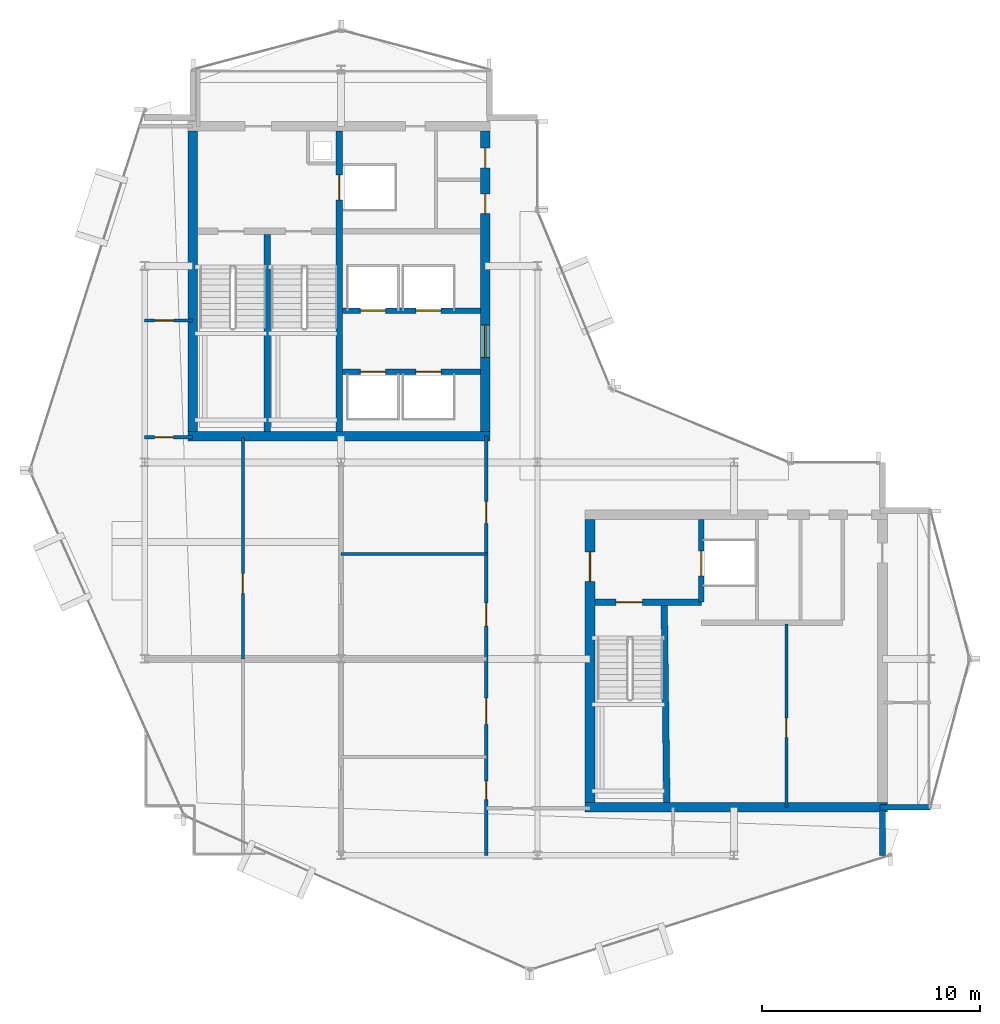
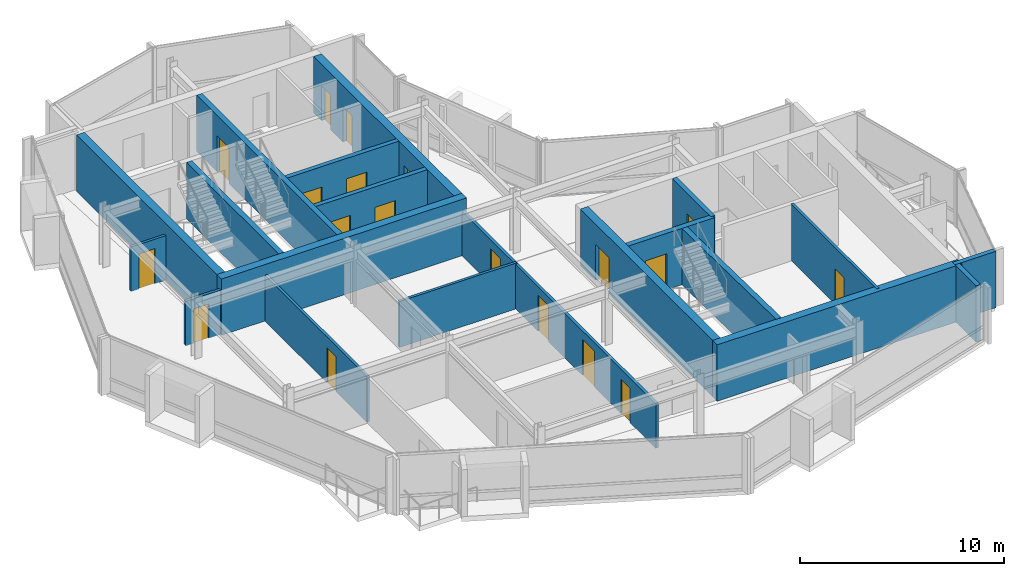
# One storey, part 14 of 19: 20 walls, 19 doors, 19 openings.
"""IFC4 building model written with IfcOpenShell, lengths in metres."""

from ifc_helpers import new_model, si_unit, direction, frame, frame_2d, origin, place, context, subcontext, project, spatial, rectangle, extrude, material, layer, layer_set, type_object, element, fill, save


model = new_model("IFC4")

# Units and contexts
model_context = context("Model", 3, precision=1e-05, world=origin(), true_north=direction((0.0, 1.0)))
body_context = subcontext(model_context, "Body", "Model", "MODEL_VIEW")
ifc_project = project(units=[si_unit("LENGTHUNIT", "METRE"), si_unit("AREAUNIT", "SQUARE_METRE"), si_unit("VOLUMEUNIT", "CUBIC_METRE"), si_unit("PLANEANGLEUNIT", "RADIAN"), si_unit("MASSUNIT", "GRAM", prefix="KILO")], contexts=[model_context])

# Site, building, storey
site_placement = place(None, origin())
site = spatial("IfcSite", under=ifc_project, at=site_placement, CompositionType="ELEMENT")
building_placement = place(site_placement, origin())
building = spatial("IfcBuilding", under=site, at=building_placement, Name="Solvaryn Broadcast Tower", CompositionType="ELEMENT")
storey_placement = place(building_placement, frame((0.0, 0.0, 281.5)))
storey = spatial("IfcBuildingStorey", under=building, at=storey_placement, Name="L71", CompositionType="ELEMENT", Elevation=281.5)

# Walls
ifc_material_1 = material(Name="Concrete f'c 70 MPa", Category="concrete")
ifc_layer_1 = layer(ifc_material_1, 0.449951171875)
ifc_layer_set_1 = layer_set([ifc_layer_1], Name="CW-SHEAR-450")
wall_type_1 = type_object("IfcWallType", Name="CW-SHEAR-450", PredefinedType="SHEAR", material=ifc_layer_set_1)
wall_1_placement = place(storey_placement, frame((10.97509765625, 28.199951171875, 0.0), z_axis=(0.0, 0.0, 1.0), x_axis=(1.0, 0.0, 0.0)))
element("IfcWall", 1, at=wall_1_placement, inside=storey, type_object=wall_type_1, Name="L71 West Core South Shear Wall", PredefinedType="SHEAR", context=body_context, shape_type="SweptSolid", body=[
    extrude(rectangle(XDim=13.849853515625, YDim=0.449951171875, at=frame_2d((6.9248046875, 0.0))), origin(), (0.0, 0.0, 1.0), 3.3701171875),
])
wall_2_placement = place(storey_placement, frame((11.199951171875, 42.175048828125, 0.0), z_axis=(0.0, 0.0, 1.0), x_axis=(0.0, -1.0, 0.0)))
element("IfcWall", 2, at=wall_2_placement, inside=storey, type_object=wall_type_1, Name="L71 West Core West Shear Wall", PredefinedType="SHEAR", context=body_context, shape_type="SweptSolid", body=[
    extrude(rectangle(XDim=13.75, YDim=0.449951171875, at=frame_2d((6.875, 0.0))), origin(), (0.0, 0.0, 1.0), 3.3701171875),
])

# Wall, openings, doors
wall_3_placement = place(storey_placement, frame((24.60009765625, 28.425048828125, 0.0), z_axis=(0.0, 0.0, 1.0), x_axis=(0.0, 1.0, 0.0)))
wall_3 = element("IfcWall", 3, at=wall_3_placement, inside=storey, type_object=wall_type_1, Name="L71 West Core East Shear Wall", PredefinedType="SHEAR", context=body_context, shape_type="SweptSolid", body=[
    extrude(rectangle(XDim=13.75, YDim=0.449951171875, at=frame_2d((6.875, 0.0))), origin(), (0.0, 0.0, 1.0), 3.3701171875),
])
opening_1_placement = place(wall_3_placement, frame((3.375, 0.0, 0.0)))
opening_1 = element("IfcOpeningElement", 4, at=opening_1_placement, cuts=wall_3, Name="Opening FD60A", PredefinedType="OPENING", context=body_context, shape_type="SweptSolid", body=[
    extrude(rectangle(XDim=1.5, YDim=2.199951171875, at=frame_2d((0.75, 1.10009765625))), frame((0.0, 0.235107421875, 0.0), z_axis=(0.0, -1.0, 0.0), x_axis=(1.0, 0.0, 0.0)), (0.0, 0.0, 1.0), 0.469970703125),
])
opening_2_placement = place(wall_3_placement, frame((9.97509765625, 0.0, 0.0)))
opening_2 = element("IfcOpeningElement", 5, at=opening_2_placement, cuts=wall_3, Name="Opening FD60C", PredefinedType="OPENING", context=body_context, shape_type="SweptSolid", body=[
    extrude(rectangle(XDim=0.89990234375, YDim=2.10009765625, at=frame_2d((0.449951171875, 1.050048828125))), frame((0.0, 0.235107421875, 0.0), z_axis=(0.0, -1.0, 0.0), x_axis=(1.0, 0.0, 0.0)), (0.0, 0.0, 1.0), 0.469970703125),
])
opening_3_placement = place(wall_3_placement, frame((12.074951171875, 0.0, 0.0)))
opening_3 = element("IfcOpeningElement", 6, at=opening_3_placement, cuts=wall_3, Name="Opening FD60C", PredefinedType="OPENING", context=body_context, shape_type="SweptSolid", body=[
    extrude(rectangle(XDim=0.89990234375, YDim=2.10009765625, at=frame_2d((0.449951171875, 1.050048828125))), frame((0.0, 0.235107421875, 0.0), z_axis=(0.0, -1.0, 0.0), x_axis=(1.0, 0.0, 0.0)), (0.0, 0.0, 1.0), 0.469970703125),
])
ifc_material_2 = material(Name="Flush Acoustic Steel and Timber Door Assembly", Category="steel")
door_type_1 = type_object("IfcDoorType", Name="FD60-CORR-1500X2200", OperationType="NOTDEFINED", PredefinedType="DOOR", material=ifc_material_2)
door_1_placement = place(opening_1_placement, origin())
door_1 = element("IfcDoor", 7, at=door_1_placement, inside=storey, type_object=door_type_1, Name="L71 West Elevator Lobby Corridor Door", OperationType="DOUBLE_DOOR_SINGLE_SWING", OverallHeight=2.199951171875, OverallWidth=1.5, PredefinedType="DOOR", context=body_context, shape_type="SweptSolid", body=[
    extrude(rectangle(XDim=1.5, YDim=2.199951171875, at=frame_2d((0.75, 1.10009765625))), frame((0.0, 0.02490234375, 0.0), z_axis=(0.0, -1.0, 0.0), x_axis=(1.0, 0.0, 0.0)), (0.0, 0.0, 1.0), 0.050048828125),
])
fill(opening_1, door_1)
ifc_material_3 = material(Name="Flush Acoustic Steel and Timber Door Assembly", Category="steel")
door_type_2 = type_object("IfcDoorType", Name="FD60-SERV-900X2100", OperationType="NOTDEFINED", PredefinedType="DOOR", material=ifc_material_3)
door_2_placement = place(opening_2_placement, origin())
door_2 = element("IfcDoor", 8, at=door_2_placement, inside=storey, type_object=door_type_2, Name="L71 West Core Service Door 1", OperationType="SINGLE_SWING_LEFT", OverallHeight=2.10009765625, OverallWidth=0.89990234375, PredefinedType="DOOR", context=body_context, shape_type="SweptSolid", body=[
    extrude(rectangle(XDim=0.89990234375, YDim=2.10009765625, at=frame_2d((0.449951171875, 1.050048828125))), frame((0.0, 0.02490234375, 0.0), z_axis=(0.0, -1.0, 0.0), x_axis=(1.0, 0.0, 0.0)), (0.0, 0.0, 1.0), 0.050048828125),
])
fill(opening_2, door_2)
door_3_placement = place(opening_3_placement, origin())
door_3 = element("IfcDoor", 9, at=door_3_placement, inside=storey, type_object=door_type_2, Name="L71 West Core Janitor Door", OperationType="SINGLE_SWING_RIGHT", OverallHeight=2.10009765625, OverallWidth=0.89990234375, PredefinedType="DOOR", context=body_context, shape_type="SweptSolid", body=[
    extrude(rectangle(XDim=0.89990234375, YDim=2.10009765625, at=frame_2d((0.449951171875, 1.050048828125))), frame((0.0, 0.02490234375, 0.0), z_axis=(0.0, -1.0, 0.0), x_axis=(1.0, 0.0, 0.0)), (0.0, 0.0, 1.0), 0.050048828125),
])
fill(opening_3, door_3)

# Wall
wall_4_placement = place(storey_placement, frame((29.175048828125, 11.199951171875, 0.0), z_axis=(0.0, 0.0, 1.0), x_axis=(1.0, 0.0, 0.0)))
element("IfcWall", 10, at=wall_4_placement, inside=storey, type_object=wall_type_1, Name="L71 East Core South Shear Wall", PredefinedType="SHEAR", context=body_context, shape_type="SweptSolid", body=[
    extrude(rectangle(XDim=13.849853515625, YDim=0.449951171875, at=frame_2d((6.9248046875, 0.0))), origin(), (0.0, 0.0, 1.0), 3.3701171875),
])

# Wall, opening, door
wall_5_placement = place(storey_placement, frame((29.39990234375, 24.375, 0.0), z_axis=(0.0, 0.0, 1.0), x_axis=(0.0, -1.0, 0.0)))
wall_5 = element("IfcWall", 11, at=wall_5_placement, inside=storey, type_object=wall_type_1, Name="L71 East Core West Shear Wall", PredefinedType="SHEAR", context=body_context, shape_type="SweptSolid", body=[
    extrude(rectangle(XDim=12.949951171875, YDim=0.449951171875, at=frame_2d((6.47509765625, 0.0))), origin(), (0.0, 0.0, 1.0), 3.3701171875),
])
opening_4_placement = place(wall_5_placement, frame((1.47509765625, 0.0, 0.0)))
opening_4 = element("IfcOpeningElement", 12, at=opening_4_placement, cuts=wall_5, Name="Opening FD90B", PredefinedType="OPENING", context=body_context, shape_type="SweptSolid", body=[
    extrude(rectangle(XDim=1.35009765625, YDim=2.14990234375, at=frame_2d((0.675048828125, 1.074951171875))), frame((0.0, 0.235107421875, 0.0), z_axis=(0.0, -1.0, 0.0), x_axis=(1.0, 0.0, 0.0)), (0.0, 0.0, 1.0), 0.469970703125),
])
ifc_material_4 = material(Name="Flush Acoustic Steel and Timber Door Assembly", Category="steel")
door_type_3 = type_object("IfcDoorType", Name="FD90-LOBBY-1350X2150", OperationType="NOTDEFINED", PredefinedType="DOOR", material=ifc_material_4)
door_4_placement = place(opening_4_placement, origin())
door_4 = element("IfcDoor", 13, at=door_4_placement, inside=storey, type_object=door_type_3, Name="L71 East FSAE Lobby Door", OperationType="SINGLE_SWING_RIGHT", OverallHeight=2.14990234375, OverallWidth=1.35009765625, PredefinedType="DOOR", context=body_context, shape_type="SweptSolid", body=[
    extrude(rectangle(XDim=1.35009765625, YDim=2.14990234375, at=frame_2d((0.675048828125, 1.074951171875))), frame((0.0, 0.02490234375, 0.0), z_axis=(0.0, -1.0, 0.0), x_axis=(1.0, 0.0, 0.0)), (0.0, 0.0, 1.0), 0.050048828125),
])
fill(opening_4, door_4)

# Walls
ifc_material_5 = material(Name="Concrete f'c 50 MPa", Category="concrete")
ifc_layer_2 = layer(ifc_material_5, 0.260009765625)
ifc_layer_set_2 = layer_set([ifc_layer_2], Name="EW-PIER-260")
wall_type_2 = type_object("IfcWallType", Name="EW-PIER-260", PredefinedType="SOLIDWALL", material=ifc_layer_set_2)
wall_6_placement = place(storey_placement, frame((42.800048828125, 9.0, 0.0), z_axis=(0.0, 0.0, 1.0), x_axis=(0.0, 1.0, 0.0)))
element("IfcWall", 14, at=wall_6_placement, inside=storey, type_object=wall_type_2, Name="L71 Notched Corner Pier Wall NSE1", PredefinedType="SOLIDWALL", context=body_context, shape_type="SweptSolid", body=[
    extrude(rectangle(XDim=2.080078125, YDim=0.260009765625, at=frame_2d((1.0400390625, 0.0))), origin(), (0.0, 0.0, 1.0), 3.3701171875),
])
wall_7_placement = place(storey_placement, frame((42.679931640625, 11.199951171875, 0.0), z_axis=(0.0, 0.0, 1.0), x_axis=(1.0, 0.0, 0.0)))
element("IfcWall", 15, at=wall_7_placement, inside=storey, type_object=wall_type_2, Name="L71 Notched Corner Pier Wall NSE2", PredefinedType="SOLIDWALL", context=body_context, shape_type="SweptSolid", body=[
    extrude(rectangle(XDim=2.320068359375, YDim=0.260009765625, at=frame_2d((1.16015625, 0.0))), origin(), (0.0, 0.0, 1.0), 3.3701171875),
])

# Wall, opening, door
ifc_material_6 = material(Name="Metal-Stud Service Core Partition")
ifc_layer_3 = layer(ifc_material_6, 0.14990234375)
ifc_layer_set_3 = layer_set([ifc_layer_3], Name="IW-PART-150")
wall_type_3 = type_object("IfcWallType", Name="IW-PART-150", PredefinedType="PARTITIONING", material=ifc_layer_set_3)
wall_8_placement = place(storey_placement, frame((38.39990234375, 11.199951171875, 0.0), z_axis=(0.0, 0.0, 1.0), x_axis=(0.0, 1.0, 0.0)))
wall_8 = element("IfcWall", 16, at=wall_8_placement, inside=storey, type_object=wall_type_3, Name="L71 Interior Partition IW-L71-RPM-V", PredefinedType="PARTITIONING", context=body_context, shape_type="SweptSolid", body=[
    extrude(rectangle(XDim=8.400146484375, YDim=0.14990234375, at=frame_2d((4.2001953125, 0.0))), origin(), (0.0, 0.0, 1.0), 3.3701171875),
])
opening_5_placement = place(wall_8_placement, frame((3.199951171875, 0.0, 0.0)))
opening_5 = element("IfcOpeningElement", 17, at=opening_5_placement, cuts=wall_8, Name="Opening FD60C", PredefinedType="OPENING", context=body_context, shape_type="SweptSolid", body=[
    extrude(rectangle(XDim=0.89990234375, YDim=2.10009765625, at=frame_2d((0.449951171875, 1.050048828125))), frame((0.0, 0.0849609375, 0.0), z_axis=(0.0, -1.0, 0.0), x_axis=(1.0, 0.0, 0.0)), (0.0, 0.0, 1.0), 0.169921875),
])
door_5_placement = place(opening_5_placement, origin())
door_5 = element("IfcDoor", 18, at=door_5_placement, inside=storey, type_object=door_type_2, Name="L71 Door DR-L71-RPM1", OperationType="SINGLE_SWING_LEFT", OverallHeight=2.10009765625, OverallWidth=0.89990234375, PredefinedType="DOOR", context=body_context, shape_type="SweptSolid", body=[
    extrude(rectangle(XDim=0.89990234375, YDim=2.10009765625, at=frame_2d((0.449951171875, 1.050048828125))), frame((0.0, 0.02490234375, 0.0), z_axis=(0.0, -1.0, 0.0), x_axis=(1.0, 0.0, 0.0)), (0.0, 0.0, 1.0), 0.050048828125),
])
fill(opening_5, door_5)

wall_9_placement = place(storey_placement, frame((9.0, 33.5, 0.0), z_axis=(0.0, 0.0, 1.0), x_axis=(1.0, 0.0, 0.0)))
wall_9 = element("IfcWall", 19, at=wall_9_placement, inside=storey, type_object=wall_type_3, Name="L71 Interior Partition IW-L71-WM-M", PredefinedType="PARTITIONING", context=body_context, shape_type="SweptSolid", body=[
    extrude(rectangle(XDim=2.199951171875, YDim=0.14990234375, at=frame_2d((1.10009765625, 0.0))), origin(), (0.0, 0.0, 1.0), 2.656982421875),
])
opening_6_placement = place(wall_9_placement, frame((0.449951171875, 0.0, 0.0)))
opening_6 = element("IfcOpeningElement", 20, at=opening_6_placement, cuts=wall_9, Name="Opening FD60C", PredefinedType="OPENING", context=body_context, shape_type="SweptSolid", body=[
    extrude(rectangle(XDim=0.89990234375, YDim=2.10009765625, at=frame_2d((0.449951171875, 1.050048828125))), frame((0.0, 0.0849609375, 0.0), z_axis=(0.0, -1.0, 0.0), x_axis=(1.0, 0.0, 0.0)), (0.0, 0.0, 1.0), 0.169921875),
])
door_6_placement = place(opening_6_placement, origin())
door_6 = element("IfcDoor", 21, at=door_6_placement, inside=storey, type_object=door_type_2, Name="L71 Door DR-L71-WM1", OperationType="SINGLE_SWING_LEFT", OverallHeight=2.10009765625, OverallWidth=0.89990234375, PredefinedType="DOOR", context=body_context, shape_type="SweptSolid", body=[
    extrude(rectangle(XDim=0.89990234375, YDim=2.10009765625, at=frame_2d((0.449951171875, 1.050048828125))), frame((0.0, 0.02490234375, 0.0), z_axis=(0.0, -1.0, 0.0), x_axis=(1.0, 0.0, 0.0)), (0.0, 0.0, 1.0), 0.050048828125),
])
fill(opening_6, door_6)

wall_10_placement = place(storey_placement, frame((13.5, 18.0, 0.0), z_axis=(0.0, 0.0, 1.0), x_axis=(0.0, 1.0, 0.0)))
wall_10 = element("IfcWall", 22, at=wall_10_placement, inside=storey, type_object=wall_type_3, Name="L71 Interior Partition IW-L71-SW-C1", PredefinedType="PARTITIONING", context=body_context, shape_type="SweptSolid", body=[
    extrude(rectangle(XDim=10.1298828125, YDim=0.14990234375, at=frame_2d((5.06494140625, 0.0))), origin(), (0.0, 0.0, 1.0), 2.739013671875),
])
opening_7_placement = place(wall_10_placement, frame((3.0, 0.0, 0.0)))
opening_7 = element("IfcOpeningElement", 23, at=opening_7_placement, cuts=wall_10, Name="Opening FD60C", PredefinedType="OPENING", context=body_context, shape_type="SweptSolid", body=[
    extrude(rectangle(XDim=0.89990234375, YDim=2.10009765625, at=frame_2d((0.449951171875, 1.050048828125))), frame((0.0, 0.0849609375, 0.0), z_axis=(0.0, -1.0, 0.0), x_axis=(1.0, 0.0, 0.0)), (0.0, 0.0, 1.0), 0.169921875),
])
door_7_placement = place(opening_7_placement, origin())
door_7 = element("IfcDoor", 24, at=door_7_placement, inside=storey, type_object=door_type_2, Name="L71 Door DR-L71-SWQ-6", OperationType="SINGLE_SWING_LEFT", OverallHeight=2.10009765625, OverallWidth=0.89990234375, PredefinedType="DOOR", context=body_context, shape_type="SweptSolid", body=[
    extrude(rectangle(XDim=0.89990234375, YDim=2.10009765625, at=frame_2d((0.449951171875, 1.050048828125))), frame((0.0, 0.02490234375, 0.0), z_axis=(0.0, -1.0, 0.0), x_axis=(1.0, 0.0, 0.0)), (0.0, 0.0, 1.0), 0.050048828125),
])
fill(opening_7, door_7)

# Wall
wall_11_placement = place(storey_placement, frame((18.0, 22.800048828125, 0.0), z_axis=(0.0, 0.0, 1.0), x_axis=(1.0, 0.0, 0.0)))
element("IfcWall", 25, at=wall_11_placement, inside=storey, type_object=wall_type_3, Name="L71 Interior Partition IW-L71-SW-C3", PredefinedType="PARTITIONING", context=body_context, shape_type="SweptSolid", body=[
    extrude(rectangle(XDim=6.64990234375, YDim=0.14990234375, at=frame_2d((3.324951171875, 0.0))), origin(), (0.0, 0.0, 1.0), 2.741943359375),
])

# Wall, opening, door
ifc_material_7 = material(Name="Metal-Stud Gypsum Office Partition")
ifc_layer_4 = layer(ifc_material_7, 0.159912109375)
ifc_layer_set_4 = layer_set([ifc_layer_4], Name="IW-PART-160")
wall_type_4 = type_object("IfcWallType", Name="IW-PART-160", PredefinedType="PARTITIONING", material=ifc_layer_set_4)
wall_12_placement = place(storey_placement, frame((9.0, 28.14990234375, 0.0), z_axis=(0.0, 0.0, 1.0), x_axis=(1.0, 0.0, 0.0)))
wall_12 = element("IfcWall", 26, at=wall_12_placement, inside=storey, type_object=wall_type_4, Name="L71 Interior Partition IW-L71-WM-S", PredefinedType="PARTITIONING", context=body_context, shape_type="SweptSolid", body=[
    extrude(rectangle(XDim=2.199951171875, YDim=0.159912109375, at=frame_2d((1.10009765625, 0.0))), origin(), (0.0, 0.0, 1.0), 2.656982421875),
])
opening_8_placement = place(wall_12_placement, frame((0.449951171875, 0.0, 0.0)))
opening_8 = element("IfcOpeningElement", 27, at=opening_8_placement, cuts=wall_12, Name="Opening ID07", PredefinedType="OPENING", context=body_context, shape_type="SweptSolid", body=[
    extrude(rectangle(XDim=0.860107421875, YDim=2.050048828125, at=frame_2d((0.43017578125, 1.02490234375))), frame((0.0, 0.090087890625, 0.0), z_axis=(0.0, -1.0, 0.0), x_axis=(1.0, 0.0, 0.0)), (0.0, 0.0, 1.0), 0.179931640625),
])
ifc_material_8 = material(Name="Flush Acoustic Steel and Timber Door Assembly", Category="steel")
door_type_4 = type_object("IfcDoorType", Name="ID-07-860X2050", OperationType="NOTDEFINED", PredefinedType="DOOR", material=ifc_material_8)
door_8_placement = place(opening_8_placement, origin())
door_8 = element("IfcDoor", 28, at=door_8_placement, inside=storey, type_object=door_type_4, Name="L71 Door DR-L71-WM0", OperationType="SINGLE_SWING_RIGHT", OverallHeight=2.050048828125, OverallWidth=0.860107421875, PredefinedType="DOOR", context=body_context, shape_type="SweptSolid", body=[
    extrude(rectangle(XDim=0.860107421875, YDim=2.050048828125, at=frame_2d((0.43017578125, 1.02490234375))), frame((0.0, 0.02490234375, 0.0), z_axis=(0.0, -1.0, 0.0), x_axis=(1.0, 0.0, 0.0)), (0.0, 0.0, 1.0), 0.050048828125),
])
fill(opening_8, door_8)

# Wall, openings, doors
wall_13_placement = place(storey_placement, frame((24.64990234375, 9.0, 0.0), z_axis=(0.0, 0.0, 1.0), x_axis=(0.0, 1.0, 0.0)))
wall_13 = element("IfcWall", 29, at=wall_13_placement, inside=storey, type_object=wall_type_4, Name="L71 Interior Partition IW-L71-SW-EB", PredefinedType="PARTITIONING", context=body_context, shape_type="SweptSolid", body=[
    extrude(rectangle(XDim=19.199951171875, YDim=0.159912109375, at=frame_2d((9.60009765625, 0.0))), origin(), (0.0, 0.0, 1.0), 2.656982421875),
])
opening_9_placement = place(wall_13_placement, frame((15.199951171875, 0.0, 0.0)))
opening_9 = element("IfcOpeningElement", 30, at=opening_9_placement, cuts=wall_13, Name="Opening ID02", PredefinedType="OPENING", context=body_context, shape_type="SweptSolid", body=[
    extrude(rectangle(XDim=1.0, YDim=2.10009765625, at=frame_2d((0.5, 1.050048828125))), frame((0.0, 0.090087890625, 0.0), z_axis=(0.0, -1.0, 0.0), x_axis=(1.0, 0.0, 0.0)), (0.0, 0.0, 1.0), 0.179931640625),
])
opening_10_placement = place(wall_13_placement, frame((10.5, 0.0, 0.0)))
opening_10 = element("IfcOpeningElement", 31, at=opening_10_placement, cuts=wall_13, Name="Opening ID03", PredefinedType="OPENING", context=body_context, shape_type="SweptSolid", body=[
    extrude(rectangle(XDim=1.050048828125, YDim=2.14990234375, at=frame_2d((0.52490234375, 1.074951171875))), frame((0.0, 0.090087890625, 0.0), z_axis=(0.0, -1.0, 0.0), x_axis=(1.0, 0.0, 0.0)), (0.0, 0.0, 1.0), 0.179931640625),
])
opening_11_placement = place(wall_13_placement, frame((6.0, 0.0, 0.0)))
opening_11 = element("IfcOpeningElement", 32, at=opening_11_placement, cuts=wall_13, Name="Opening ID04", PredefinedType="OPENING", context=body_context, shape_type="SweptSolid", body=[
    extrude(rectangle(XDim=1.199951171875, YDim=2.14990234375, at=frame_2d((0.60009765625, 1.074951171875))), frame((0.0, 0.090087890625, 0.0), z_axis=(0.0, -1.0, 0.0), x_axis=(1.0, 0.0, 0.0)), (0.0, 0.0, 1.0), 0.179931640625),
])
opening_12_placement = place(wall_13_placement, frame((2.550048828125, 0.0, 0.0)))
opening_12 = element("IfcOpeningElement", 33, at=opening_12_placement, cuts=wall_13, Name="Opening ID07", PredefinedType="OPENING", context=body_context, shape_type="SweptSolid", body=[
    extrude(rectangle(XDim=0.860107421875, YDim=2.050048828125, at=frame_2d((0.43017578125, 1.02490234375))), frame((0.0, 0.090087890625, 0.0), z_axis=(0.0, -1.0, 0.0), x_axis=(1.0, 0.0, 0.0)), (0.0, 0.0, 1.0), 0.179931640625),
])
ifc_material_9 = material(Name="Flush Acoustic Steel and Timber Door Assembly", Category="steel")
door_type_5 = type_object("IfcDoorType", Name="ID-02-1000X2100", OperationType="NOTDEFINED", PredefinedType="DOOR", material=ifc_material_9)
door_9_placement = place(opening_9_placement, origin())
door_9 = element("IfcDoor", 34, at=door_9_placement, inside=storey, type_object=door_type_5, Name="L71 Door DR-L71-SWQ-1", OperationType="SINGLE_SWING_RIGHT", OverallHeight=2.10009765625, OverallWidth=1.0, PredefinedType="DOOR", context=body_context, shape_type="SweptSolid", body=[
    extrude(rectangle(XDim=1.0, YDim=2.10009765625, at=frame_2d((0.5, 1.050048828125))), frame((0.0, 0.02490234375, 0.0), z_axis=(0.0, -1.0, 0.0), x_axis=(1.0, 0.0, 0.0)), (0.0, 0.0, 1.0), 0.050048828125),
])
fill(opening_9, door_9)
ifc_material_10 = material(Name="Flush Acoustic Steel and Timber Door Assembly", Category="steel")
door_type_6 = type_object("IfcDoorType", Name="ID-03-1050X2150", OperationType="NOTDEFINED", PredefinedType="DOOR", material=ifc_material_10)
door_10_placement = place(opening_10_placement, origin())
door_10 = element("IfcDoor", 35, at=door_10_placement, inside=storey, type_object=door_type_6, Name="L71 Door DR-L71-SWQ-2", OperationType="SINGLE_SWING_LEFT", OverallHeight=2.14990234375, OverallWidth=1.050048828125, PredefinedType="DOOR", context=body_context, shape_type="SweptSolid", body=[
    extrude(rectangle(XDim=1.050048828125, YDim=2.14990234375, at=frame_2d((0.52490234375, 1.074951171875))), frame((0.0, 0.02490234375, 0.0), z_axis=(0.0, -1.0, 0.0), x_axis=(1.0, 0.0, 0.0)), (0.0, 0.0, 1.0), 0.050048828125),
])
fill(opening_10, door_10)
ifc_material_11 = material(Name="Flush Acoustic Steel and Timber Door Assembly", Category="steel")
door_type_7 = type_object("IfcDoorType", Name="ID-04-1200X2150", OperationType="NOTDEFINED", PredefinedType="DOOR", material=ifc_material_11)
door_11_placement = place(opening_11_placement, origin())
door_11 = element("IfcDoor", 36, at=door_11_placement, inside=storey, type_object=door_type_7, Name="L71 Door DR-L71-SWQ-3", OperationType="SINGLE_SWING_RIGHT", OverallHeight=2.14990234375, OverallWidth=1.199951171875, PredefinedType="DOOR", context=body_context, shape_type="SweptSolid", body=[
    extrude(rectangle(XDim=1.199951171875, YDim=2.14990234375, at=frame_2d((0.60009765625, 1.074951171875))), frame((0.0, 0.02490234375, 0.0), z_axis=(0.0, -1.0, 0.0), x_axis=(1.0, 0.0, 0.0)), (0.0, 0.0, 1.0), 0.050048828125),
])
fill(opening_11, door_11)
door_12_placement = place(opening_12_placement, origin())
door_12 = element("IfcDoor", 37, at=door_12_placement, inside=storey, type_object=door_type_4, Name="L71 Door DR-L71-SWQ-4", OperationType="SINGLE_SWING_LEFT", OverallHeight=2.050048828125, OverallWidth=0.860107421875, PredefinedType="DOOR", context=body_context, shape_type="SweptSolid", body=[
    extrude(rectangle(XDim=0.860107421875, YDim=2.050048828125, at=frame_2d((0.43017578125, 1.02490234375))), frame((0.0, 0.02490234375, 0.0), z_axis=(0.0, -1.0, 0.0), x_axis=(1.0, 0.0, 0.0)), (0.0, 0.0, 1.0), 0.050048828125),
])
fill(opening_12, door_12)

ifc_material_12 = material(Name="Concrete f'c 60 MPa", Category="concrete")
ifc_layer_5 = layer(ifc_material_12, 0.25)
ifc_layer_set_5 = layer_set([ifc_layer_5], Name="SW-SHAFT-250")
wall_type_5 = type_object("IfcWallType", Name="SW-SHAFT-250", PredefinedType="PARTITIONING", material=ifc_layer_set_5)
wall_14_placement = place(storey_placement, frame((18.070068359375, 31.14990234375, 0.0), z_axis=(0.0, 0.0, 1.0), x_axis=(1.0, 0.0, 0.0)))
wall_14 = element("IfcWall", 38, at=wall_14_placement, inside=storey, type_object=wall_type_5, Name="L71 High-Rise Lift Bank South Wall", PredefinedType="PARTITIONING", context=body_context, shape_type="SweptSolid", body=[
    extrude(rectangle(XDim=6.304931640625, YDim=0.25, at=frame_2d((3.15234375, 0.0))), origin(), (0.0, 0.0, 1.0), 3.3701171875),
])
opening_13_placement = place(wall_14_placement, frame((0.804931640625, 0.0, 0.0)))
opening_13 = element("IfcOpeningElement", 39, at=opening_13_placement, cuts=wall_14, Name="Opening LD01", PredefinedType="OPENING", context=body_context, shape_type="SweptSolid", body=[
    extrude(rectangle(XDim=1.14990234375, YDim=2.14990234375, at=frame_2d((0.574951171875, 1.074951171875))), frame((0.0, 0.135009765625, 0.0), z_axis=(0.0, -1.0, 0.0), x_axis=(1.0, 0.0, 0.0)), (0.0, 0.0, 1.0), 0.27001953125),
])
opening_14_placement = place(wall_14_placement, frame((3.35498046875, 0.0, 0.0)))
opening_14 = element("IfcOpeningElement", 40, at=opening_14_placement, cuts=wall_14, Name="Opening LD01", PredefinedType="OPENING", context=body_context, shape_type="SweptSolid", body=[
    extrude(rectangle(XDim=1.14990234375, YDim=2.14990234375, at=frame_2d((0.574951171875, 1.074951171875))), frame((0.0, 0.135009765625, 0.0), z_axis=(0.0, -1.0, 0.0), x_axis=(1.0, 0.0, 0.0)), (0.0, 0.0, 1.0), 0.27001953125),
])
ifc_material_13 = material(Name="Flush Acoustic Steel and Timber Door Assembly", Category="steel")
door_type_8 = type_object("IfcDoorType", Name="LD-LIFT-1150X2150", OperationType="NOTDEFINED", PredefinedType="DOOR", material=ifc_material_13)
door_13_placement = place(opening_13_placement, origin())
door_13 = element("IfcDoor", 41, at=door_13_placement, inside=storey, type_object=door_type_8, Name="L71 PH1 Lift Landing Door", OperationType="DOUBLE_DOOR_SLIDING", OverallHeight=2.14990234375, OverallWidth=1.14990234375, PredefinedType="DOOR", context=body_context, shape_type="SweptSolid", body=[
    extrude(rectangle(XDim=1.14990234375, YDim=2.14990234375, at=frame_2d((0.574951171875, 1.074951171875))), frame((0.0, 0.02490234375, 0.0), z_axis=(0.0, -1.0, 0.0), x_axis=(1.0, 0.0, 0.0)), (0.0, 0.0, 1.0), 0.050048828125),
])
fill(opening_13, door_13)
door_14_placement = place(opening_14_placement, origin())
door_14 = element("IfcDoor", 42, at=door_14_placement, inside=storey, type_object=door_type_8, Name="L71 PH2 Lift Landing Door", OperationType="DOUBLE_DOOR_SLIDING", OverallHeight=2.14990234375, OverallWidth=1.14990234375, PredefinedType="DOOR", context=body_context, shape_type="SweptSolid", body=[
    extrude(rectangle(XDim=1.14990234375, YDim=2.14990234375, at=frame_2d((0.574951171875, 1.074951171875))), frame((0.0, 0.02490234375, 0.0), z_axis=(0.0, -1.0, 0.0), x_axis=(1.0, 0.0, 0.0)), (0.0, 0.0, 1.0), 0.050048828125),
])
fill(opening_14, door_14)

wall_15_placement = place(storey_placement, frame((24.375, 33.949951171875, 0.0), z_axis=(0.0, 0.0, 1.0), x_axis=(-1.0, 0.0, 0.0)))
wall_15 = element("IfcWall", 43, at=wall_15_placement, inside=storey, type_object=wall_type_5, Name="L71 High-Rise Lift Bank North Wall", PredefinedType="PARTITIONING", context=body_context, shape_type="SweptSolid", body=[
    extrude(rectangle(XDim=6.304931640625, YDim=0.25, at=frame_2d((3.15234375, 0.0))), origin(), (0.0, 0.0, 1.0), 3.3701171875),
])
opening_15_placement = place(wall_15_placement, frame((4.35009765625, 0.0, 0.0)))
opening_15 = element("IfcOpeningElement", 44, at=opening_15_placement, cuts=wall_15, Name="Opening LD01", PredefinedType="OPENING", context=body_context, shape_type="SweptSolid", body=[
    extrude(rectangle(XDim=1.14990234375, YDim=2.14990234375, at=frame_2d((0.574951171875, 1.074951171875))), frame((0.0, 0.135009765625, 0.0), z_axis=(0.0, -1.0, 0.0), x_axis=(1.0, 0.0, 0.0)), (0.0, 0.0, 1.0), 0.27001953125),
])
opening_16_placement = place(wall_15_placement, frame((1.800048828125, 0.0, 0.0)))
opening_16 = element("IfcOpeningElement", 45, at=opening_16_placement, cuts=wall_15, Name="Opening LD01", PredefinedType="OPENING", context=body_context, shape_type="SweptSolid", body=[
    extrude(rectangle(XDim=1.14990234375, YDim=2.14990234375, at=frame_2d((0.574951171875, 1.074951171875))), frame((0.0, 0.135009765625, 0.0), z_axis=(0.0, -1.0, 0.0), x_axis=(1.0, 0.0, 0.0)), (0.0, 0.0, 1.0), 0.27001953125),
])
door_15_placement = place(opening_15_placement, origin())
door_15 = element("IfcDoor", 46, at=door_15_placement, inside=storey, type_object=door_type_8, Name="L71 PH3 Lift Landing Door", OperationType="DOUBLE_DOOR_SLIDING", OverallHeight=2.14990234375, OverallWidth=1.14990234375, PredefinedType="DOOR", context=body_context, shape_type="SweptSolid", body=[
    extrude(rectangle(XDim=1.14990234375, YDim=2.14990234375, at=frame_2d((0.574951171875, 1.074951171875))), frame((0.0, 0.02490234375, 0.0), z_axis=(0.0, -1.0, 0.0), x_axis=(1.0, 0.0, 0.0)), (0.0, 0.0, 1.0), 0.050048828125),
])
fill(opening_15, door_15)
door_16_placement = place(opening_16_placement, origin())
door_16 = element("IfcDoor", 47, at=door_16_placement, inside=storey, type_object=door_type_8, Name="L71 PH4 Lift Landing Door", OperationType="DOUBLE_DOOR_SLIDING", OverallHeight=2.14990234375, OverallWidth=1.14990234375, PredefinedType="DOOR", context=body_context, shape_type="SweptSolid", body=[
    extrude(rectangle(XDim=1.14990234375, YDim=2.14990234375, at=frame_2d((0.574951171875, 1.074951171875))), frame((0.0, 0.02490234375, 0.0), z_axis=(0.0, -1.0, 0.0), x_axis=(1.0, 0.0, 0.0)), (0.0, 0.0, 1.0), 0.050048828125),
])
fill(opening_16, door_16)

# Wall, opening, door
wall_16_placement = place(storey_placement, frame((34.5, 20.60009765625, 0.0), z_axis=(0.0, 0.0, 1.0), x_axis=(0.0, 1.0, 0.0)))
wall_16 = element("IfcWall", 48, at=wall_16_placement, inside=storey, type_object=wall_type_5, Name="L71 East FSAE Lobby East Wall", PredefinedType="PARTITIONING", context=body_context, shape_type="SweptSolid", body=[
    extrude(rectangle(XDim=3.77490234375, YDim=0.25, at=frame_2d((1.887451171875, 0.0))), origin(), (0.0, 0.0, 1.0), 3.3701171875),
])
opening_17_placement = place(wall_16_placement, frame((1.199951171875, 0.0, 0.0)))
opening_17 = element("IfcOpeningElement", 49, at=opening_17_placement, cuts=wall_16, Name="Opening LD01", PredefinedType="OPENING", context=body_context, shape_type="SweptSolid", body=[
    extrude(rectangle(XDim=1.14990234375, YDim=2.14990234375, at=frame_2d((0.574951171875, 1.074951171875))), frame((0.0, 0.135009765625, 0.0), z_axis=(0.0, -1.0, 0.0), x_axis=(1.0, 0.0, 0.0)), (0.0, 0.0, 1.0), 0.27001953125),
])
door_17_placement = place(opening_17_placement, origin())
door_17 = element("IfcDoor", 50, at=door_17_placement, inside=storey, type_object=door_type_8, Name="L71 FL2 Lift Landing Door", OperationType="DOUBLE_DOOR_SLIDING", OverallHeight=2.14990234375, OverallWidth=1.14990234375, PredefinedType="DOOR", context=body_context, shape_type="SweptSolid", body=[
    extrude(rectangle(XDim=1.14990234375, YDim=2.14990234375, at=frame_2d((0.574951171875, 1.074951171875))), frame((0.0, 0.02490234375, 0.0), z_axis=(0.0, -1.0, 0.0), x_axis=(1.0, 0.0, 0.0)), (0.0, 0.0, 1.0), 0.050048828125),
])
fill(opening_17, door_17)

# Wall
ifc_material_14 = material(Name="Concrete f'c 70 MPa", Category="concrete")
ifc_layer_6 = layer(ifc_material_14, 0.300048828125)
ifc_layer_set_6 = layer_set([ifc_layer_6], Name="SW-SHAFT-300")
wall_type_6 = type_object("IfcWallType", Name="SW-SHAFT-300", PredefinedType="SHEAR", material=ifc_layer_set_6)
wall_17_placement = place(storey_placement, frame((14.6201171875, 28.425048828125, 0.0), z_axis=(0.0, 0.0, 1.0), x_axis=(0.0, 1.0, 0.0)))
element("IfcWall", 51, at=wall_17_placement, inside=storey, type_object=wall_type_6, Name="L71 Stair 1-2 Dividing Wall", PredefinedType="SHEAR", context=body_context, shape_type="SweptSolid", body=[
    extrude(rectangle(XDim=9.02490234375, YDim=0.300048828125, at=frame_2d((4.512451171875, 0.0))), origin(), (0.0, 0.0, 1.0), 3.3701171875),
])

# Wall, opening, door
wall_18_placement = place(storey_placement, frame((17.919921875, 42.175048828125, 0.0), z_axis=(0.0, 0.0, 1.0), x_axis=(0.0, -1.0, 0.0)))
wall_18 = element("IfcWall", 52, at=wall_18_placement, inside=storey, type_object=wall_type_6, Name="L71 West Core Stair-Lobby Shear Wall", PredefinedType="SHEAR", context=body_context, shape_type="SweptSolid", body=[
    extrude(rectangle(XDim=13.75, YDim=0.300048828125, at=frame_2d((6.875, 0.0))), origin(), (0.0, 0.0, 1.0), 3.3701171875),
])
opening_18_placement = place(wall_18_placement, frame((2.0, 0.0, 0.0)))
opening_18 = element("IfcOpeningElement", 53, at=opening_18_placement, cuts=wall_18, Name="Opening LD01", PredefinedType="OPENING", context=body_context, shape_type="SweptSolid", body=[
    extrude(rectangle(XDim=1.14990234375, YDim=2.14990234375, at=frame_2d((0.574951171875, 1.074951171875))), frame((0.0, 0.159912109375, 0.0), z_axis=(0.0, -1.0, 0.0), x_axis=(1.0, 0.0, 0.0)), (0.0, 0.0, 1.0), 0.320068359375),
])
door_18_placement = place(opening_18_placement, origin())
door_18 = element("IfcDoor", 54, at=door_18_placement, inside=storey, type_object=door_type_8, Name="L71 FL1 Lift Landing Door", OperationType="DOUBLE_DOOR_SLIDING", OverallHeight=2.14990234375, OverallWidth=1.14990234375, PredefinedType="DOOR", context=body_context, shape_type="SweptSolid", body=[
    extrude(rectangle(XDim=1.14990234375, YDim=2.14990234375, at=frame_2d((0.574951171875, 1.074951171875))), frame((0.0, 0.02490234375, 0.0), z_axis=(0.0, -1.0, 0.0), x_axis=(1.0, 0.0, 0.0)), (0.0, 0.0, 1.0), 0.050048828125),
])
fill(opening_18, door_18)

# Wall
wall_19_placement = place(storey_placement, frame((32.919921875, 11.425048828125, 0.0), z_axis=(0.0, 0.0, 1.0), x_axis=(-0.013135638869, 0.999913723774, 0.0)))
element("IfcWall", 55, at=wall_19_placement, inside=storey, type_object=wall_type_6, Name="L71 Stair 3 East Shear Wall", PredefinedType="SHEAR", context=body_context, shape_type="SweptSolid", body=[
    extrude(rectangle(XDim=9.125732421875, YDim=0.300048828125, at=frame_2d((4.56298828125, 0.0))), origin(), (0.0, 0.0, 1.0), 3.3701171875),
])

# Wall, opening, door
wall_20_placement = place(storey_placement, frame((34.5, 20.60009765625, 0.0), z_axis=(0.0, 0.0, 1.0), x_axis=(-1.0, 0.0, 0.0)))
wall_20 = element("IfcWall", 56, at=wall_20_placement, inside=storey, type_object=wall_type_6, Name="L71 East FSAE Lobby South Wall", PredefinedType="SHEAR", context=body_context, shape_type="SweptSolid", body=[
    extrude(rectangle(XDim=4.875, YDim=0.300048828125, at=frame_2d((2.4375, 0.0))), origin(), (0.0, 0.0, 1.0), 3.3701171875),
])
opening_19_placement = place(wall_20_placement, frame((2.699951171875, 0.0, 0.0)))
opening_19 = element("IfcOpeningElement", 57, at=opening_19_placement, cuts=wall_20, Name="Opening FD90A", PredefinedType="OPENING", context=body_context, shape_type="SweptSolid", body=[
    extrude(rectangle(XDim=1.199951171875, YDim=2.14990234375, at=frame_2d((0.60009765625, 1.074951171875))), frame((0.0, 0.159912109375, 0.0), z_axis=(0.0, -1.0, 0.0), x_axis=(1.0, 0.0, 0.0)), (0.0, 0.0, 1.0), 0.320068359375),
])
ifc_material_15 = material(Name="Flush Acoustic Steel and Timber Door Assembly", Category="steel")
door_type_9 = type_object("IfcDoorType", Name="FD90-STAIR-1200X2150", OperationType="NOTDEFINED", PredefinedType="DOOR", material=ifc_material_15)
door_19_placement = place(opening_19_placement, origin())
door_19 = element("IfcDoor", 58, at=door_19_placement, inside=storey, type_object=door_type_9, Name="L71 Stair 3 Fire Door", OperationType="SINGLE_SWING_LEFT", OverallHeight=2.14990234375, OverallWidth=1.199951171875, PredefinedType="DOOR", context=body_context, shape_type="SweptSolid", body=[
    extrude(rectangle(XDim=1.199951171875, YDim=2.14990234375, at=frame_2d((0.60009765625, 1.074951171875))), frame((0.0, 0.02490234375, 0.0), z_axis=(0.0, -1.0, 0.0), x_axis=(1.0, 0.0, 0.0)), (0.0, 0.0, 1.0), 0.050048828125),
])
fill(opening_19, door_19)

save(model, "model.ifc")
